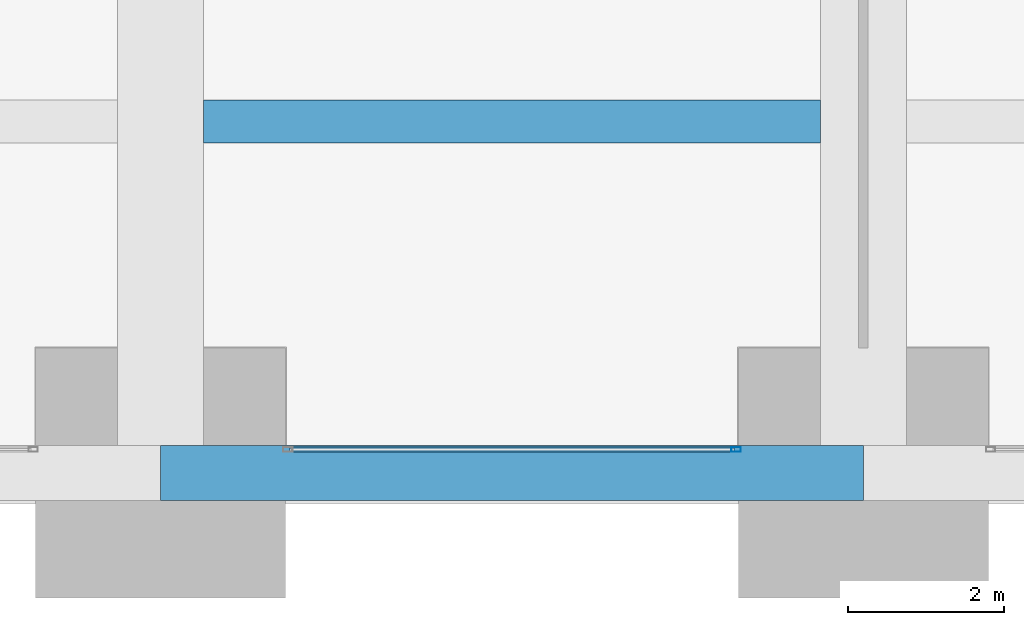
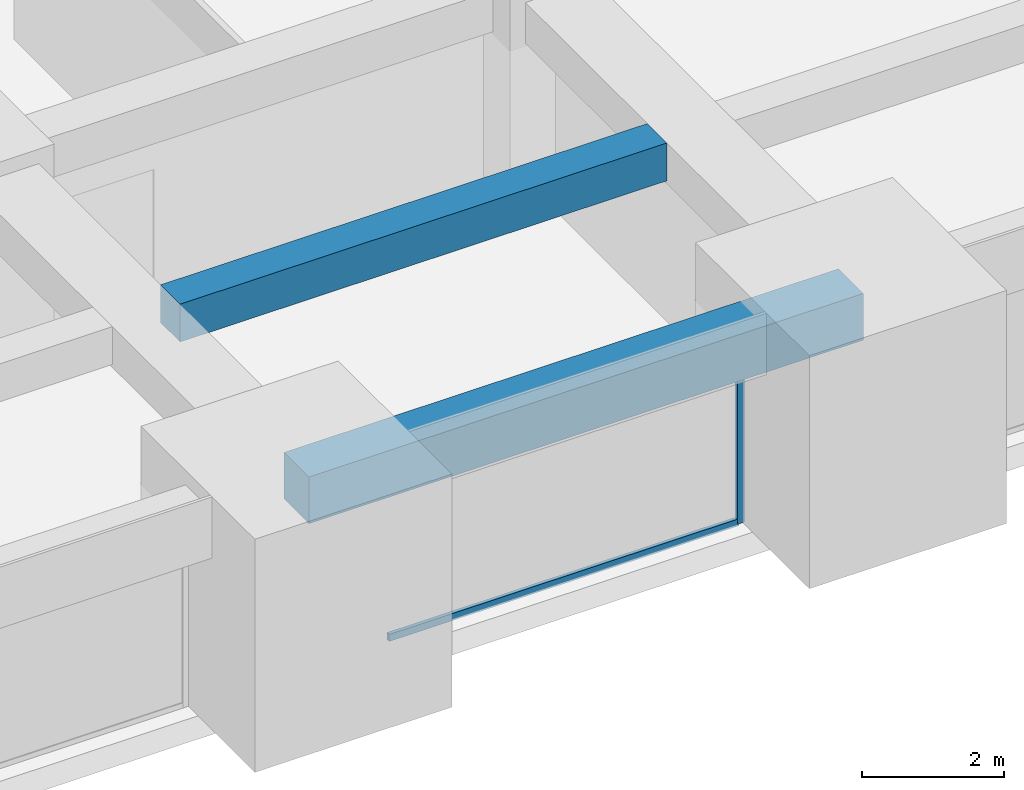
# One storey, part 9 of 40: 2 beams, 2 members, 1 element without a shape of its own.
"""IFC4 building model written with IfcOpenShell, lengths in metres."""

from ifc_helpers import new_model, si_unit, direction, frame, origin, origin_2d, place, context, subcontext, project, spatial, rectangle, hollow_rectangle, extrude, material, material_profile, profile_set, type_object, element, aggregate, save


model = new_model("IFC4")

# Units and contexts
model_context = context("Model", 3, precision=1e-05, world=origin(), true_north=direction((0.0, 1.0)))
body_context = subcontext(model_context, "Body", "Model", "MODEL_VIEW")
ifc_project = project(units=[si_unit("LENGTHUNIT", "METRE"), si_unit("AREAUNIT", "SQUARE_METRE"), si_unit("VOLUMEUNIT", "CUBIC_METRE"), si_unit("PLANEANGLEUNIT", "RADIAN"), si_unit("MASSUNIT", "GRAM", prefix="KILO")], contexts=[model_context])

# Site, building, storey
site_placement = place(None, origin())
site = spatial("IfcSite", under=ifc_project, at=site_placement, CompositionType="ELEMENT")
building_placement = place(site_placement, origin())
building = spatial("IfcBuilding", under=site, at=building_placement, Name="Zorevar Civic Tower", CompositionType="ELEMENT")
storey_placement = place(building_placement, frame((0.0, 0.0, 239.39990234375)))
storey = spatial("IfcBuildingStorey", under=building, at=storey_placement, Name="L58", CompositionType="ELEMENT", Elevation=239.39990234375)

# Beam
ifc_material_1 = material(Name="Concrete C50/60", Category="concrete")
ifc_material_profile_1 = material_profile(ifc_material_1, rectangle(XDim=0.550048828125, YDim=0.64990234375, at=origin_2d()), Name="RC 550x650")
ifc_profile_set_1 = profile_set([ifc_material_profile_1], Name="Concrete C50/60")
beam_type_1 = type_object("IfcBeamType", Name="Beam RC 550x650", PredefinedType="BEAM", material=ifc_profile_set_1)
beam_1_placement = place(storey_placement, frame((27.550048828125, 4.5, 3.425048828125), z_axis=(1.0, 0.0, 0.0), x_axis=(0.0, 1.0, 0.0)))
element("IfcBeam", 1, at=beam_1_placement, inside=storey, type_object=beam_type_1, Name="Secondary beam L59", PredefinedType="BEAM", context=body_context, shape_type="SweptSolid", body=[
    extrude(rectangle(XDim=0.550048828125, YDim=0.64990234375, at=origin_2d()), origin(), (0.0, 0.0, 1.0), 7.89990234375),
])

# Curtain wall, members
ifc_material_2 = material(Name="Dark grey solar-control glass in black aluminium frame", Category="aluminium")
curtain_wall_type = type_object("IfcCurtainWallType", Name="Curtain wall CW5 top zone", PredefinedType="NOTDEFINED", material=ifc_material_2)
curtain_wall_placement = place(storey_placement, origin())
curtain_wall = element("IfcCurtainWall", 2, at=curtain_wall_placement, inside=storey, type_object=curtain_wall_type, Name="CW5 L58", PredefinedType="NOTDEFINED")
ifc_material_3 = material(Name="Aluminium, black anodised", Category="aluminium")
ifc_material_profile_2 = material_profile(ifc_material_3, hollow_rectangle(XDim=0.06005859375, YDim=0.1201171875, WallThickness=0.0029296875, at=origin_2d()), Name="AL 120x60x3")
ifc_profile_set_2 = profile_set([ifc_material_profile_2], Name="Aluminium, black anodised")
member_type_1 = type_object("IfcMemberType", Name="CW5 mullion AL 120x60x3", PredefinedType="MULLION", material=ifc_profile_set_2)
member_1_placement = place(storey_placement, frame((34.3701171875, 0.300048828125, 0.0), z_axis=(0.0, 0.0, 1.0), x_axis=(0.0, 1.0, 0.0)))
member_1 = element("IfcMember", 3, at=member_1_placement, type_object=member_type_1, Name="CW5 mullion 2", PredefinedType="MULLION", context=body_context, shape_type="SweptSolid", body=[
    extrude(hollow_rectangle(XDim=0.06005859375, YDim=0.1201171875, WallThickness=0.0029296875, at=origin_2d()), origin(), (0.0, 0.0, 1.0), 2.9501953125),
])
ifc_material_4 = material(Name="Aluminium, black anodised", Category="aluminium")
ifc_material_profile_3 = material_profile(ifc_material_4, hollow_rectangle(XDim=0.06005859375, YDim=0.1201171875, WallThickness=0.0029296875, at=origin_2d()), Name="AL 120x60x3")
ifc_profile_set_3 = profile_set([ifc_material_profile_3], Name="Aluminium, black anodised")
member_type_2 = type_object("IfcMemberType", Name="CW5 transom AL 120x60x3", PredefinedType="USERDEFINED", material=ifc_profile_set_3)
member_2_placement = place(storey_placement, frame((28.659912109375, 0.300048828125, 0.030029296875), z_axis=(1.0, 0.0, 0.0), x_axis=(0.0, 1.0, 0.0)))
member_2 = element("IfcMember", 4, at=member_2_placement, type_object=member_type_2, Name="CW5 sill transom", ObjectType="TRANSOM", PredefinedType="USERDEFINED", context=body_context, shape_type="SweptSolid", body=[
    extrude(hollow_rectangle(XDim=0.06005859375, YDim=0.1201171875, WallThickness=0.0029296875, at=origin_2d()), origin(), (0.0, 0.0, 1.0), 5.68017578125),
])
aggregate(curtain_wall, [member_1, member_2])

# Beam
ifc_material_5 = material(Name="Concrete C50/60", Category="concrete")
ifc_material_profile_4 = material_profile(ifc_material_5, rectangle(XDim=0.699951171875, YDim=0.800048828125, at=origin_2d()), Name="RC 700x800")
ifc_profile_set_4 = profile_set([ifc_material_profile_4], Name="Concrete C50/60")
beam_type_2 = type_object("IfcBeamType", Name="Edge beam RC 700x800", PredefinedType="SPANDREL", material=ifc_profile_set_4)
beam_2_placement = place(storey_placement, frame((27.0, 0.0, 3.35009765625), z_axis=(1.0, 0.0, 0.0), x_axis=(0.0, 1.0, 0.0)))
element("IfcBeam", 5, at=beam_2_placement, inside=storey, type_object=beam_type_2, Name="Edge beam L59", PredefinedType="SPANDREL", context=body_context, shape_type="SweptSolid", body=[
    extrude(rectangle(XDim=0.699951171875, YDim=0.800048828125, at=origin_2d()), origin(), (0.0, 0.0, 1.0), 9.0),
])

save(model, "model.ifc")
